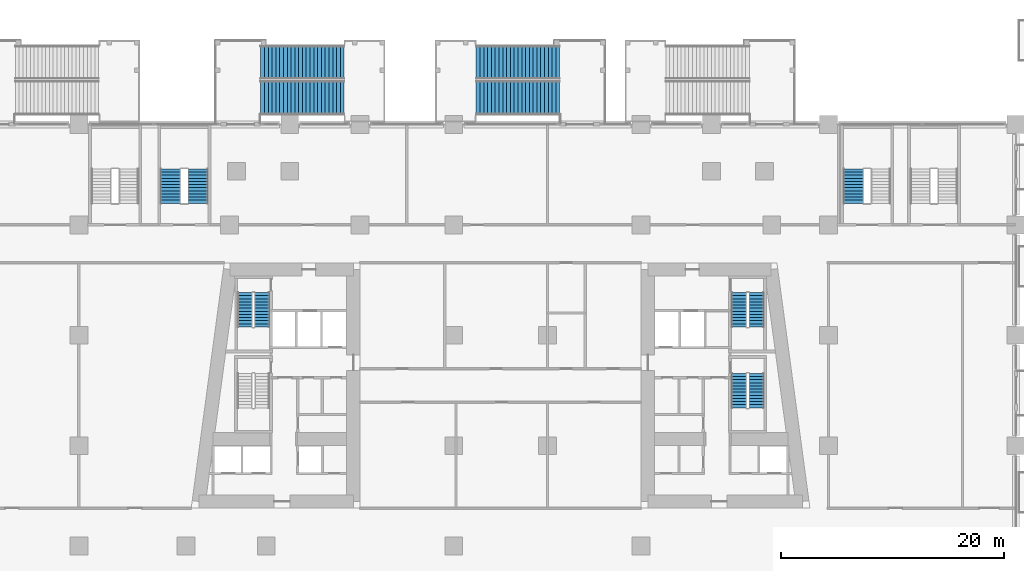
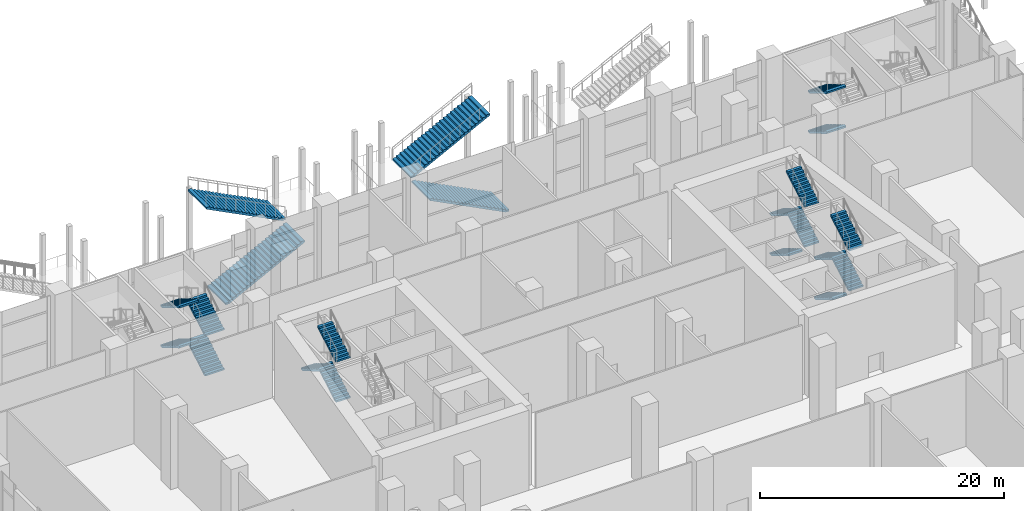
# One storey, part 35 of 52: 21 stair flights, 7 elements without a shape of their own.
"""IFC4 building model written with IfcOpenShell, lengths in metres."""

from ifc_helpers import new_model, si_unit, direction, frame, origin, place, context, subcontext, project, spatial, polyline, outline, extrude, material, type_object, element, aggregate, save


model = new_model("IFC4")

# Units and contexts
model_context = context("Model", 3, precision=1e-05, world=origin(), true_north=direction((0.0, 1.0)))
body_context = subcontext(model_context, "Body", "Model", "MODEL_VIEW")
ifc_project = project(units=[si_unit("LENGTHUNIT", "METRE"), si_unit("AREAUNIT", "SQUARE_METRE"), si_unit("VOLUMEUNIT", "CUBIC_METRE"), si_unit("PLANEANGLEUNIT", "RADIAN"), si_unit("MASSUNIT", "GRAM", prefix="KILO")], contexts=[model_context])

# Site, building, storey
site_placement = place(None, origin())
site = spatial("IfcSite", under=ifc_project, at=site_placement, CompositionType="ELEMENT")
building_placement = place(site_placement, origin())
building = spatial("IfcBuilding", under=site, at=building_placement, Name="Candeia Pilgrim Tower and Theatre", CompositionType="ELEMENT")
storey_placement = place(building_placement, frame((0.0, 0.0, 9.0)))
storey = spatial("IfcBuildingStorey", under=building, at=storey_placement, Name="L01", CompositionType="ELEMENT", Elevation=9.0)

# Stair, stair flights
ifc_material = material(Name="Concrete C40/50", Category="concrete")
stair_type_1 = type_object("IfcStairType", Name="ST-EXT external escape stair", PredefinedType="HALF_TURN_STAIR", material=ifc_material)
stair_1_placement = place(storey_placement, origin())
stair_1 = element("IfcStair", 1, at=stair_1_placement, inside=storey, type_object=stair_type_1, Name="L01 External escape stair ES5", PredefinedType="HALF_TURN_STAIR")
stair_flight_type_1 = type_object("IfcStairFlightType", Name="SFL-EXT stair flight", PredefinedType="STRAIGHT", material=ifc_material)
stair_flight_1_placement = place(storey_placement, frame((91.89990234375, 147.199951171875, 0.0), z_axis=(0.0, 0.0, 1.0), x_axis=(1.0, 0.0, 0.0)))
stair_flight_1 = element("IfcStairFlight", 2, at=stair_flight_1_placement, type_object=stair_flight_type_1, Name="ES5 flight 1", NumberOfRisers=23, NumberOfTreads=22, PredefinedType="STRAIGHT", RiserHeight=0.173913043, TreadLength=0.34, context=body_context, shape_type="SweptSolid", body=[
    extrude(outline(polyline([(0.0, 0.0), (0.0, 0.173828125), (0.340087890625, 0.173828125), (0.340087890625, 0.347900390625), (0.679931640625, 0.347900390625), (0.679931640625, 0.521728515625), (1.02001953125, 0.521728515625), (1.02001953125, 0.695556640625), (1.360107421875, 0.695556640625), (1.360107421875, 0.86962890625), (1.699951171875, 0.86962890625), (1.699951171875, 1.04345703125), (2.0400390625, 1.04345703125), (2.0400390625, 1.21728515625), (2.3798828125, 1.21728515625), (2.3798828125, 1.391357421875), (2.719970703125, 1.391357421875), (2.719970703125, 1.565185546875), (3.06005859375, 1.565185546875), (3.06005859375, 1.739013671875), (3.39990234375, 1.739013671875), (3.39990234375, 1.9130859375), (3.739990234375, 1.9130859375), (3.739990234375, 2.0869140625), (4.080078125, 2.0869140625), (4.080078125, 2.260986328125), (4.419921875, 2.260986328125), (4.419921875, 2.434814453125), (4.760009765625, 2.434814453125), (4.760009765625, 2.608642578125), (5.10009765625, 2.608642578125), (5.10009765625, 2.78271484375), (5.43994140625, 2.78271484375), (5.43994140625, 2.95654296875), (5.780029296875, 2.95654296875), (5.780029296875, 3.13037109375), (6.1201171875, 3.13037109375), (6.1201171875, 3.304443359375), (6.4599609375, 3.304443359375), (6.4599609375, 3.478271484375), (6.800048828125, 3.478271484375), (6.800048828125, 3.652099609375), (7.139892578125, 3.652099609375), (7.139892578125, 3.826171875), (7.47998046875, 3.826171875), (7.47998046875, 4.0), (7.47998046875, 3.65771484375), (0.3291015625, 0.0), (0.0, 0.0)])), frame((0.0, 1.5, 0.0), z_axis=(0.0, -1.0, 0.0), x_axis=(1.0, 0.0, 0.0)), (0.0, 0.0, 1.0), 3.0),
])
stair_flight_2_placement = place(storey_placement, frame((99.3798828125, 150.35009765625, 4.0), z_axis=(0.0, 0.0, 1.0), x_axis=(-1.0, 0.0, 0.0)))
stair_flight_2 = element("IfcStairFlight", 3, at=stair_flight_2_placement, type_object=stair_flight_type_1, Name="ES5 flight 2", NumberOfRisers=23, NumberOfTreads=22, PredefinedType="STRAIGHT", RiserHeight=0.173913043, TreadLength=0.34, context=body_context, shape_type="SweptSolid", body=[
    extrude(outline(polyline([(0.0, 0.0), (0.0, 0.173828125), (0.340087890625, 0.173828125), (0.340087890625, 0.347900390625), (0.679931640625, 0.347900390625), (0.679931640625, 0.521728515625), (1.02001953125, 0.521728515625), (1.02001953125, 0.695556640625), (1.360107421875, 0.695556640625), (1.360107421875, 0.86962890625), (1.699951171875, 0.86962890625), (1.699951171875, 1.04345703125), (2.0400390625, 1.04345703125), (2.0400390625, 1.21728515625), (2.3798828125, 1.21728515625), (2.3798828125, 1.391357421875), (2.719970703125, 1.391357421875), (2.719970703125, 1.565185546875), (3.06005859375, 1.565185546875), (3.06005859375, 1.739013671875), (3.39990234375, 1.739013671875), (3.39990234375, 1.9130859375), (3.739990234375, 1.9130859375), (3.739990234375, 2.0869140625), (4.080078125, 2.0869140625), (4.080078125, 2.260986328125), (4.419921875, 2.260986328125), (4.419921875, 2.434814453125), (4.760009765625, 2.434814453125), (4.760009765625, 2.608642578125), (5.10009765625, 2.608642578125), (5.10009765625, 2.78271484375), (5.43994140625, 2.78271484375), (5.43994140625, 2.95654296875), (5.780029296875, 2.95654296875), (5.780029296875, 3.13037109375), (6.1201171875, 3.13037109375), (6.1201171875, 3.304443359375), (6.4599609375, 3.304443359375), (6.4599609375, 3.478271484375), (6.800048828125, 3.478271484375), (6.800048828125, 3.652099609375), (7.139892578125, 3.652099609375), (7.139892578125, 3.826171875), (7.47998046875, 3.826171875), (7.47998046875, 4.0), (7.47998046875, 3.65771484375), (0.3291015625, 0.0), (0.0, 0.0)])), frame((0.0, 1.5, 0.0), z_axis=(0.0, -1.0, 0.0), x_axis=(1.0, 0.0, 0.0)), (0.0, 0.0, 1.0), 3.0),
])
aggregate(stair_1, [stair_flight_1, stair_flight_2])

stair_2_placement = place(storey_placement, origin())
stair_2 = element("IfcStair", 4, at=stair_2_placement, inside=storey, type_object=stair_type_1, Name="L01 External escape stair ES6", PredefinedType="HALF_TURN_STAIR")
stair_flight_3_placement = place(storey_placement, frame((118.699951171875, 147.199951171875, 0.0), z_axis=(0.0, 0.0, 1.0), x_axis=(-1.0, 0.0, 0.0)))
stair_flight_3 = element("IfcStairFlight", 5, at=stair_flight_3_placement, type_object=stair_flight_type_1, Name="ES6 flight 1", NumberOfRisers=23, NumberOfTreads=22, PredefinedType="STRAIGHT", RiserHeight=0.173913043, TreadLength=0.34, context=body_context, shape_type="SweptSolid", body=[
    extrude(outline(polyline([(0.0, 0.0), (0.0, 0.173828125), (0.340087890625, 0.173828125), (0.340087890625, 0.347900390625), (0.679931640625, 0.347900390625), (0.679931640625, 0.521728515625), (1.02001953125, 0.521728515625), (1.02001953125, 0.695556640625), (1.360107421875, 0.695556640625), (1.360107421875, 0.86962890625), (1.699951171875, 0.86962890625), (1.699951171875, 1.04345703125), (2.0400390625, 1.04345703125), (2.0400390625, 1.21728515625), (2.3798828125, 1.21728515625), (2.3798828125, 1.391357421875), (2.719970703125, 1.391357421875), (2.719970703125, 1.565185546875), (3.06005859375, 1.565185546875), (3.06005859375, 1.739013671875), (3.39990234375, 1.739013671875), (3.39990234375, 1.9130859375), (3.739990234375, 1.9130859375), (3.739990234375, 2.0869140625), (4.080078125, 2.0869140625), (4.080078125, 2.260986328125), (4.419921875, 2.260986328125), (4.419921875, 2.434814453125), (4.760009765625, 2.434814453125), (4.760009765625, 2.608642578125), (5.10009765625, 2.608642578125), (5.10009765625, 2.78271484375), (5.43994140625, 2.78271484375), (5.43994140625, 2.95654296875), (5.780029296875, 2.95654296875), (5.780029296875, 3.13037109375), (6.1201171875, 3.13037109375), (6.1201171875, 3.304443359375), (6.4599609375, 3.304443359375), (6.4599609375, 3.478271484375), (6.800048828125, 3.478271484375), (6.800048828125, 3.652099609375), (7.139892578125, 3.652099609375), (7.139892578125, 3.826171875), (7.47998046875, 3.826171875), (7.47998046875, 4.0), (7.47998046875, 3.65771484375), (0.3291015625, 0.0), (0.0, 0.0)])), frame((0.0, 1.5, 0.0), z_axis=(0.0, -1.0, 0.0), x_axis=(1.0, 0.0, 0.0)), (0.0, 0.0, 1.0), 3.0),
])
stair_flight_4_placement = place(storey_placement, frame((111.219970703125, 150.35009765625, 4.0), z_axis=(0.0, 0.0, 1.0), x_axis=(1.0, 0.0, 0.0)))
stair_flight_4 = element("IfcStairFlight", 6, at=stair_flight_4_placement, type_object=stair_flight_type_1, Name="ES6 flight 2", NumberOfRisers=23, NumberOfTreads=22, PredefinedType="STRAIGHT", RiserHeight=0.173913043, TreadLength=0.34, context=body_context, shape_type="SweptSolid", body=[
    extrude(outline(polyline([(0.0, 0.0), (0.0, 0.173828125), (0.340087890625, 0.173828125), (0.340087890625, 0.347900390625), (0.679931640625, 0.347900390625), (0.679931640625, 0.521728515625), (1.02001953125, 0.521728515625), (1.02001953125, 0.695556640625), (1.360107421875, 0.695556640625), (1.360107421875, 0.86962890625), (1.699951171875, 0.86962890625), (1.699951171875, 1.04345703125), (2.0400390625, 1.04345703125), (2.0400390625, 1.21728515625), (2.3798828125, 1.21728515625), (2.3798828125, 1.391357421875), (2.719970703125, 1.391357421875), (2.719970703125, 1.565185546875), (3.06005859375, 1.565185546875), (3.06005859375, 1.739013671875), (3.39990234375, 1.739013671875), (3.39990234375, 1.9130859375), (3.739990234375, 1.9130859375), (3.739990234375, 2.0869140625), (4.080078125, 2.0869140625), (4.080078125, 2.260986328125), (4.419921875, 2.260986328125), (4.419921875, 2.434814453125), (4.760009765625, 2.434814453125), (4.760009765625, 2.608642578125), (5.10009765625, 2.608642578125), (5.10009765625, 2.78271484375), (5.43994140625, 2.78271484375), (5.43994140625, 2.95654296875), (5.780029296875, 2.95654296875), (5.780029296875, 3.13037109375), (6.1201171875, 3.13037109375), (6.1201171875, 3.304443359375), (6.4599609375, 3.304443359375), (6.4599609375, 3.478271484375), (6.800048828125, 3.478271484375), (6.800048828125, 3.652099609375), (7.139892578125, 3.652099609375), (7.139892578125, 3.826171875), (7.47998046875, 3.826171875), (7.47998046875, 4.0), (7.47998046875, 3.65771484375), (0.3291015625, 0.0), (0.0, 0.0)])), frame((0.0, 1.5, 0.0), z_axis=(0.0, -1.0, 0.0), x_axis=(1.0, 0.0, 0.0)), (0.0, 0.0, 1.0), 3.0),
])
aggregate(stair_2, [stair_flight_3, stair_flight_4])

stair_type_2 = type_object("IfcStairType", Name="ST-POD dog-leg escape stair", PredefinedType="HALF_TURN_STAIR", material=ifc_material)
stair_3_placement = place(storey_placement, origin())
stair_3 = element("IfcStair", 7, at=stair_3_placement, inside=storey, type_object=stair_type_2, Name="L01 Escape stair PS2", PredefinedType="HALF_TURN_STAIR")
stair_flight_type_2 = type_object("IfcStairFlightType", Name="SFL-POD stair flight", PredefinedType="STRAIGHT", material=ifc_material)
stair_flight_5_placement = place(storey_placement, frame((86.27490234375, 137.72509765625, 0.0), z_axis=(0.0, 0.0, 1.0), x_axis=(0.0, 1.0, 0.0)))
stair_flight_5 = element("IfcStairFlight", 8, at=stair_flight_5_placement, type_object=stair_flight_type_2, Name="PS2 flight 1", NumberOfRisers=12, NumberOfTreads=11, PredefinedType="STRAIGHT", RiserHeight=0.166666667, TreadLength=0.28, context=body_context, shape_type="SweptSolid", body=[
    extrude(outline(polyline([(0.0, 0.0), (0.0, 0.166748046875), (0.280029296875, 0.166748046875), (0.280029296875, 0.333251953125), (0.56005859375, 0.333251953125), (0.56005859375, 0.5), (0.840087890625, 0.5), (0.840087890625, 0.666748046875), (1.1201171875, 0.666748046875), (1.1201171875, 0.833251953125), (1.39990234375, 0.833251953125), (1.39990234375, 1.0), (1.679931640625, 1.0), (1.679931640625, 1.166748046875), (1.9599609375, 1.166748046875), (1.9599609375, 1.333251953125), (2.239990234375, 1.333251953125), (2.239990234375, 1.5), (2.52001953125, 1.5), (2.52001953125, 1.666748046875), (2.800048828125, 1.666748046875), (2.800048828125, 1.833251953125), (3.080078125, 1.833251953125), (3.080078125, 2.0), (3.080078125, 1.658935546875), (0.29296875, 0.0), (0.0, 0.0)])), frame((0.0, 0.89990234375, 0.0), z_axis=(0.0, -1.0, 0.0), x_axis=(1.0, 0.0, 0.0)), (0.0, 0.0, 1.0), 1.800048828125),
])
stair_flight_6_placement = place(storey_placement, frame((83.824951171875, 140.804931640625, 2.0), z_axis=(0.0, 0.0, 1.0), x_axis=(0.0, -1.0, 0.0)))
stair_flight_6 = element("IfcStairFlight", 9, at=stair_flight_6_placement, type_object=stair_flight_type_2, Name="PS2 flight 2", NumberOfRisers=12, NumberOfTreads=11, PredefinedType="STRAIGHT", RiserHeight=0.166666667, TreadLength=0.28, context=body_context, shape_type="SweptSolid", body=[
    extrude(outline(polyline([(0.0, 0.0), (0.0, 0.166748046875), (0.280029296875, 0.166748046875), (0.280029296875, 0.333251953125), (0.56005859375, 0.333251953125), (0.56005859375, 0.5), (0.840087890625, 0.5), (0.840087890625, 0.666748046875), (1.1201171875, 0.666748046875), (1.1201171875, 0.833251953125), (1.39990234375, 0.833251953125), (1.39990234375, 1.0), (1.679931640625, 1.0), (1.679931640625, 1.166748046875), (1.9599609375, 1.166748046875), (1.9599609375, 1.333251953125), (2.239990234375, 1.333251953125), (2.239990234375, 1.5), (2.52001953125, 1.5), (2.52001953125, 1.666748046875), (2.800048828125, 1.666748046875), (2.800048828125, 1.833251953125), (3.080078125, 1.833251953125), (3.080078125, 2.0), (3.080078125, 1.658935546875), (0.29296875, 0.0), (0.0, 0.0)])), frame((0.0, 0.89990234375, 0.0), z_axis=(0.0, -1.0, 0.0), x_axis=(1.0, 0.0, 0.0)), (0.0, 0.0, 1.0), 1.800048828125),
])
stair_flight_7_placement = place(storey_placement, frame((86.27490234375, 137.72509765625, 4.0), z_axis=(0.0, 0.0, 1.0), x_axis=(0.0, 1.0, 0.0)))
stair_flight_7 = element("IfcStairFlight", 10, at=stair_flight_7_placement, type_object=stair_flight_type_2, Name="PS2 flight 3", NumberOfRisers=12, NumberOfTreads=11, PredefinedType="STRAIGHT", RiserHeight=0.166666667, TreadLength=0.28, context=body_context, shape_type="SweptSolid", body=[
    extrude(outline(polyline([(0.0, 0.0), (0.0, 0.166748046875), (0.280029296875, 0.166748046875), (0.280029296875, 0.333251953125), (0.56005859375, 0.333251953125), (0.56005859375, 0.5), (0.840087890625, 0.5), (0.840087890625, 0.666748046875), (1.1201171875, 0.666748046875), (1.1201171875, 0.833251953125), (1.39990234375, 0.833251953125), (1.39990234375, 1.0), (1.679931640625, 1.0), (1.679931640625, 1.166748046875), (1.9599609375, 1.166748046875), (1.9599609375, 1.333251953125), (2.239990234375, 1.333251953125), (2.239990234375, 1.5), (2.52001953125, 1.5), (2.52001953125, 1.666748046875), (2.800048828125, 1.666748046875), (2.800048828125, 1.833251953125), (3.080078125, 1.833251953125), (3.080078125, 2.0), (3.080078125, 1.658935546875), (0.29296875, 0.0), (0.0, 0.0)])), frame((0.0, 0.89990234375, 0.0), z_axis=(0.0, -1.0, 0.0), x_axis=(1.0, 0.0, 0.0)), (0.0, 0.0, 1.0), 1.800048828125),
])
stair_flight_8_placement = place(storey_placement, frame((83.824951171875, 140.804931640625, 6.0), z_axis=(0.0, 0.0, 1.0), x_axis=(0.0, -1.0, 0.0)))
stair_flight_8 = element("IfcStairFlight", 11, at=stair_flight_8_placement, type_object=stair_flight_type_2, Name="PS2 flight 4", NumberOfRisers=12, NumberOfTreads=11, PredefinedType="STRAIGHT", RiserHeight=0.166666667, TreadLength=0.28, context=body_context, shape_type="SweptSolid", body=[
    extrude(outline(polyline([(0.0, 0.0), (0.0, 0.166748046875), (0.280029296875, 0.166748046875), (0.280029296875, 0.333251953125), (0.56005859375, 0.333251953125), (0.56005859375, 0.5), (0.840087890625, 0.5), (0.840087890625, 0.666748046875), (1.1201171875, 0.666748046875), (1.1201171875, 0.833251953125), (1.39990234375, 0.833251953125), (1.39990234375, 1.0), (1.679931640625, 1.0), (1.679931640625, 1.166748046875), (1.9599609375, 1.166748046875), (1.9599609375, 1.333251953125), (2.239990234375, 1.333251953125), (2.239990234375, 1.5), (2.52001953125, 1.5), (2.52001953125, 1.666748046875), (2.800048828125, 1.666748046875), (2.800048828125, 1.833251953125), (3.080078125, 1.833251953125), (3.080078125, 2.0), (3.080078125, 1.658935546875), (0.29296875, 0.0), (0.0, 0.0)])), frame((0.0, 0.89990234375, 0.0), z_axis=(0.0, -1.0, 0.0), x_axis=(1.0, 0.0, 0.0)), (0.0, 0.0, 1.0), 1.800048828125),
])
aggregate(stair_3, [stair_flight_5, stair_flight_6, stair_flight_7, stair_flight_8])

stair_4_placement = place(storey_placement, origin())
stair_4 = element("IfcStair", 12, at=stair_4_placement, inside=storey, type_object=stair_type_2, Name="L01 Escape stair PS3", PredefinedType="HALF_TURN_STAIR")
stair_flight_9_placement = place(storey_placement, frame((145.02490234375, 140.804931640625, 2.0), z_axis=(0.0, 0.0, 1.0), x_axis=(0.0, -1.0, 0.0)))
stair_flight_9 = element("IfcStairFlight", 13, at=stair_flight_9_placement, type_object=stair_flight_type_2, Name="PS3 flight 2", NumberOfRisers=12, NumberOfTreads=11, PredefinedType="STRAIGHT", RiserHeight=0.166666667, TreadLength=0.28, context=body_context, shape_type="SweptSolid", body=[
    extrude(outline(polyline([(0.0, 0.0), (0.0, 0.166748046875), (0.280029296875, 0.166748046875), (0.280029296875, 0.333251953125), (0.56005859375, 0.333251953125), (0.56005859375, 0.5), (0.840087890625, 0.5), (0.840087890625, 0.666748046875), (1.1201171875, 0.666748046875), (1.1201171875, 0.833251953125), (1.39990234375, 0.833251953125), (1.39990234375, 1.0), (1.679931640625, 1.0), (1.679931640625, 1.166748046875), (1.9599609375, 1.166748046875), (1.9599609375, 1.333251953125), (2.239990234375, 1.333251953125), (2.239990234375, 1.5), (2.52001953125, 1.5), (2.52001953125, 1.666748046875), (2.800048828125, 1.666748046875), (2.800048828125, 1.833251953125), (3.080078125, 1.833251953125), (3.080078125, 2.0), (3.080078125, 1.658935546875), (0.29296875, 0.0), (0.0, 0.0)])), frame((0.0, 0.89990234375, 0.0), z_axis=(0.0, -1.0, 0.0), x_axis=(1.0, 0.0, 0.0)), (0.0, 0.0, 1.0), 1.800048828125),
])
stair_flight_10_placement = place(storey_placement, frame((145.02490234375, 140.804931640625, 6.0), z_axis=(0.0, 0.0, 1.0), x_axis=(0.0, -1.0, 0.0)))
stair_flight_10 = element("IfcStairFlight", 14, at=stair_flight_10_placement, type_object=stair_flight_type_2, Name="PS3 flight 4", NumberOfRisers=12, NumberOfTreads=11, PredefinedType="STRAIGHT", RiserHeight=0.166666667, TreadLength=0.28, context=body_context, shape_type="SweptSolid", body=[
    extrude(outline(polyline([(0.0, 0.0), (0.0, 0.166748046875), (0.280029296875, 0.166748046875), (0.280029296875, 0.333251953125), (0.56005859375, 0.333251953125), (0.56005859375, 0.5), (0.840087890625, 0.5), (0.840087890625, 0.666748046875), (1.1201171875, 0.666748046875), (1.1201171875, 0.833251953125), (1.39990234375, 0.833251953125), (1.39990234375, 1.0), (1.679931640625, 1.0), (1.679931640625, 1.166748046875), (1.9599609375, 1.166748046875), (1.9599609375, 1.333251953125), (2.239990234375, 1.333251953125), (2.239990234375, 1.5), (2.52001953125, 1.5), (2.52001953125, 1.666748046875), (2.800048828125, 1.666748046875), (2.800048828125, 1.833251953125), (3.080078125, 1.833251953125), (3.080078125, 2.0), (3.080078125, 1.658935546875), (0.29296875, 0.0), (0.0, 0.0)])), frame((0.0, 0.89990234375, 0.0), z_axis=(0.0, -1.0, 0.0), x_axis=(1.0, 0.0, 0.0)), (0.0, 0.0, 1.0), 1.800048828125),
])
aggregate(stair_4, [stair_flight_9, stair_flight_10])

stair_type_3 = type_object("IfcStairType", Name="ST-TWR dog-leg escape stair", PredefinedType="HALF_TURN_STAIR", material=ifc_material)
stair_5_placement = place(storey_placement, origin())
stair_5 = element("IfcStair", 15, at=stair_5_placement, inside=storey, type_object=stair_type_3, Name="L01 Escape stair ST2", PredefinedType="HALF_TURN_STAIR")
stair_flight_type_3 = type_object("IfcStairFlightType", Name="SFL-RC stair flight", PredefinedType="STRAIGHT", material=ifc_material)
stair_flight_11_placement = place(storey_placement, frame((92.027099609375, 126.64501953125, 2.0), z_axis=(0.0, 0.0, 1.0), x_axis=(0.0, 1.0, 0.0)))
stair_flight_11 = element("IfcStairFlight", 16, at=stair_flight_11_placement, type_object=stair_flight_type_3, Name="ST2 flight 2", NumberOfRisers=12, NumberOfTreads=11, PredefinedType="STRAIGHT", RiserHeight=0.166666667, TreadLength=0.28, context=body_context, shape_type="SweptSolid", body=[
    extrude(outline(polyline([(0.0, 0.0), (0.0, 0.166748046875), (0.280029296875, 0.166748046875), (0.280029296875, 0.333251953125), (0.56005859375, 0.333251953125), (0.56005859375, 0.5), (0.840087890625, 0.5), (0.840087890625, 0.666748046875), (1.1201171875, 0.666748046875), (1.1201171875, 0.833251953125), (1.39990234375, 0.833251953125), (1.39990234375, 1.0), (1.679931640625, 1.0), (1.679931640625, 1.166748046875), (1.9599609375, 1.166748046875), (1.9599609375, 1.333251953125), (2.239990234375, 1.333251953125), (2.239990234375, 1.5), (2.52001953125, 1.5), (2.52001953125, 1.666748046875), (2.800048828125, 1.666748046875), (2.800048828125, 1.833251953125), (3.080078125, 1.833251953125), (3.080078125, 2.0), (3.080078125, 1.658935546875), (0.29296875, 0.0), (0.0, 0.0)])), frame((0.0, 0.675048828125, 0.0), z_axis=(0.0, -1.0, 0.0), x_axis=(1.0, 0.0, 0.0)), (0.0, 0.0, 1.0), 1.35009765625),
])
stair_flight_12_placement = place(storey_placement, frame((90.47705078125, 129.72509765625, 4.0), z_axis=(0.0, 0.0, 1.0), x_axis=(0.0, -1.0, 0.0)))
stair_flight_12 = element("IfcStairFlight", 17, at=stair_flight_12_placement, type_object=stair_flight_type_3, Name="ST2 flight 3", NumberOfRisers=12, NumberOfTreads=11, PredefinedType="STRAIGHT", RiserHeight=0.166666667, TreadLength=0.28, context=body_context, shape_type="SweptSolid", body=[
    extrude(outline(polyline([(0.0, 0.0), (0.0, 0.166748046875), (0.280029296875, 0.166748046875), (0.280029296875, 0.333251953125), (0.56005859375, 0.333251953125), (0.56005859375, 0.5), (0.840087890625, 0.5), (0.840087890625, 0.666748046875), (1.1201171875, 0.666748046875), (1.1201171875, 0.833251953125), (1.39990234375, 0.833251953125), (1.39990234375, 1.0), (1.679931640625, 1.0), (1.679931640625, 1.166748046875), (1.9599609375, 1.166748046875), (1.9599609375, 1.333251953125), (2.239990234375, 1.333251953125), (2.239990234375, 1.5), (2.52001953125, 1.5), (2.52001953125, 1.666748046875), (2.800048828125, 1.666748046875), (2.800048828125, 1.833251953125), (3.080078125, 1.833251953125), (3.080078125, 2.0), (3.080078125, 1.658935546875), (0.29296875, 0.0), (0.0, 0.0)])), frame((0.0, 0.675048828125, 0.0), z_axis=(0.0, -1.0, 0.0), x_axis=(1.0, 0.0, 0.0)), (0.0, 0.0, 1.0), 1.35009765625),
])
stair_flight_13_placement = place(storey_placement, frame((92.027099609375, 126.64501953125, 6.0), z_axis=(0.0, 0.0, 1.0), x_axis=(0.0, 1.0, 0.0)))
stair_flight_13 = element("IfcStairFlight", 18, at=stair_flight_13_placement, type_object=stair_flight_type_3, Name="ST2 flight 4", NumberOfRisers=12, NumberOfTreads=11, PredefinedType="STRAIGHT", RiserHeight=0.166666667, TreadLength=0.28, context=body_context, shape_type="SweptSolid", body=[
    extrude(outline(polyline([(0.0, 0.0), (0.0, 0.166748046875), (0.280029296875, 0.166748046875), (0.280029296875, 0.333251953125), (0.56005859375, 0.333251953125), (0.56005859375, 0.5), (0.840087890625, 0.5), (0.840087890625, 0.666748046875), (1.1201171875, 0.666748046875), (1.1201171875, 0.833251953125), (1.39990234375, 0.833251953125), (1.39990234375, 1.0), (1.679931640625, 1.0), (1.679931640625, 1.166748046875), (1.9599609375, 1.166748046875), (1.9599609375, 1.333251953125), (2.239990234375, 1.333251953125), (2.239990234375, 1.5), (2.52001953125, 1.5), (2.52001953125, 1.666748046875), (2.800048828125, 1.666748046875), (2.800048828125, 1.833251953125), (3.080078125, 1.833251953125), (3.080078125, 2.0), (3.080078125, 1.658935546875), (0.29296875, 0.0), (0.0, 0.0)])), frame((0.0, 0.675048828125, 0.0), z_axis=(0.0, -1.0, 0.0), x_axis=(1.0, 0.0, 0.0)), (0.0, 0.0, 1.0), 1.35009765625),
])
aggregate(stair_5, [stair_flight_11, stair_flight_12, stair_flight_13])

stair_6_placement = place(storey_placement, origin())
stair_6 = element("IfcStair", 19, at=stair_6_placement, inside=storey, type_object=stair_type_3, Name="L01 Escape stair ST3", PredefinedType="HALF_TURN_STAIR")
stair_flight_14_placement = place(storey_placement, frame((134.77294921875, 122.47509765625, 0.0), z_axis=(0.0, 0.0, 1.0), x_axis=(0.0, -1.0, 0.0)))
stair_flight_14 = element("IfcStairFlight", 20, at=stair_flight_14_placement, type_object=stair_flight_type_3, Name="ST3 flight 1", NumberOfRisers=12, NumberOfTreads=11, PredefinedType="STRAIGHT", RiserHeight=0.166666667, TreadLength=0.28, context=body_context, shape_type="SweptSolid", body=[
    extrude(outline(polyline([(0.0, 0.0), (0.0, 0.166748046875), (0.280029296875, 0.166748046875), (0.280029296875, 0.333251953125), (0.56005859375, 0.333251953125), (0.56005859375, 0.5), (0.840087890625, 0.5), (0.840087890625, 0.666748046875), (1.1201171875, 0.666748046875), (1.1201171875, 0.833251953125), (1.39990234375, 0.833251953125), (1.39990234375, 1.0), (1.679931640625, 1.0), (1.679931640625, 1.166748046875), (1.9599609375, 1.166748046875), (1.9599609375, 1.333251953125), (2.239990234375, 1.333251953125), (2.239990234375, 1.5), (2.52001953125, 1.5), (2.52001953125, 1.666748046875), (2.800048828125, 1.666748046875), (2.800048828125, 1.833251953125), (3.080078125, 1.833251953125), (3.080078125, 2.0), (3.080078125, 1.658935546875), (0.29296875, 0.0), (0.0, 0.0)])), frame((0.0, 0.675048828125, 0.0), z_axis=(0.0, -1.0, 0.0), x_axis=(1.0, 0.0, 0.0)), (0.0, 0.0, 1.0), 1.35009765625),
])
stair_flight_15_placement = place(storey_placement, frame((136.322998046875, 119.39501953125, 2.0), z_axis=(0.0, 0.0, 1.0), x_axis=(0.0, 1.0, 0.0)))
stair_flight_15 = element("IfcStairFlight", 21, at=stair_flight_15_placement, type_object=stair_flight_type_3, Name="ST3 flight 2", NumberOfRisers=12, NumberOfTreads=11, PredefinedType="STRAIGHT", RiserHeight=0.166666667, TreadLength=0.28, context=body_context, shape_type="SweptSolid", body=[
    extrude(outline(polyline([(0.0, 0.0), (0.0, 0.166748046875), (0.280029296875, 0.166748046875), (0.280029296875, 0.333251953125), (0.56005859375, 0.333251953125), (0.56005859375, 0.5), (0.840087890625, 0.5), (0.840087890625, 0.666748046875), (1.1201171875, 0.666748046875), (1.1201171875, 0.833251953125), (1.39990234375, 0.833251953125), (1.39990234375, 1.0), (1.679931640625, 1.0), (1.679931640625, 1.166748046875), (1.9599609375, 1.166748046875), (1.9599609375, 1.333251953125), (2.239990234375, 1.333251953125), (2.239990234375, 1.5), (2.52001953125, 1.5), (2.52001953125, 1.666748046875), (2.800048828125, 1.666748046875), (2.800048828125, 1.833251953125), (3.080078125, 1.833251953125), (3.080078125, 2.0), (3.080078125, 1.658935546875), (0.29296875, 0.0), (0.0, 0.0)])), frame((0.0, 0.675048828125, 0.0), z_axis=(0.0, -1.0, 0.0), x_axis=(1.0, 0.0, 0.0)), (0.0, 0.0, 1.0), 1.35009765625),
])
stair_flight_16_placement = place(storey_placement, frame((134.77294921875, 122.47509765625, 4.0), z_axis=(0.0, 0.0, 1.0), x_axis=(0.0, -1.0, 0.0)))
stair_flight_16 = element("IfcStairFlight", 22, at=stair_flight_16_placement, type_object=stair_flight_type_3, Name="ST3 flight 3", NumberOfRisers=12, NumberOfTreads=11, PredefinedType="STRAIGHT", RiserHeight=0.166666667, TreadLength=0.28, context=body_context, shape_type="SweptSolid", body=[
    extrude(outline(polyline([(0.0, 0.0), (0.0, 0.166748046875), (0.280029296875, 0.166748046875), (0.280029296875, 0.333251953125), (0.56005859375, 0.333251953125), (0.56005859375, 0.5), (0.840087890625, 0.5), (0.840087890625, 0.666748046875), (1.1201171875, 0.666748046875), (1.1201171875, 0.833251953125), (1.39990234375, 0.833251953125), (1.39990234375, 1.0), (1.679931640625, 1.0), (1.679931640625, 1.166748046875), (1.9599609375, 1.166748046875), (1.9599609375, 1.333251953125), (2.239990234375, 1.333251953125), (2.239990234375, 1.5), (2.52001953125, 1.5), (2.52001953125, 1.666748046875), (2.800048828125, 1.666748046875), (2.800048828125, 1.833251953125), (3.080078125, 1.833251953125), (3.080078125, 2.0), (3.080078125, 1.658935546875), (0.29296875, 0.0), (0.0, 0.0)])), frame((0.0, 0.675048828125, 0.0), z_axis=(0.0, -1.0, 0.0), x_axis=(1.0, 0.0, 0.0)), (0.0, 0.0, 1.0), 1.35009765625),
])
stair_flight_17_placement = place(storey_placement, frame((136.322998046875, 119.39501953125, 6.0), z_axis=(0.0, 0.0, 1.0), x_axis=(0.0, 1.0, 0.0)))
stair_flight_17 = element("IfcStairFlight", 23, at=stair_flight_17_placement, type_object=stair_flight_type_3, Name="ST3 flight 4", NumberOfRisers=12, NumberOfTreads=11, PredefinedType="STRAIGHT", RiserHeight=0.166666667, TreadLength=0.28, context=body_context, shape_type="SweptSolid", body=[
    extrude(outline(polyline([(0.0, 0.0), (0.0, 0.166748046875), (0.280029296875, 0.166748046875), (0.280029296875, 0.333251953125), (0.56005859375, 0.333251953125), (0.56005859375, 0.5), (0.840087890625, 0.5), (0.840087890625, 0.666748046875), (1.1201171875, 0.666748046875), (1.1201171875, 0.833251953125), (1.39990234375, 0.833251953125), (1.39990234375, 1.0), (1.679931640625, 1.0), (1.679931640625, 1.166748046875), (1.9599609375, 1.166748046875), (1.9599609375, 1.333251953125), (2.239990234375, 1.333251953125), (2.239990234375, 1.5), (2.52001953125, 1.5), (2.52001953125, 1.666748046875), (2.800048828125, 1.666748046875), (2.800048828125, 1.833251953125), (3.080078125, 1.833251953125), (3.080078125, 2.0), (3.080078125, 1.658935546875), (0.29296875, 0.0), (0.0, 0.0)])), frame((0.0, 0.675048828125, 0.0), z_axis=(0.0, -1.0, 0.0), x_axis=(1.0, 0.0, 0.0)), (0.0, 0.0, 1.0), 1.35009765625),
])
aggregate(stair_6, [stair_flight_14, stair_flight_15, stair_flight_16, stair_flight_17])

stair_7_placement = place(storey_placement, origin())
stair_7 = element("IfcStair", 24, at=stair_7_placement, inside=storey, type_object=stair_type_3, Name="L01 Escape stair ST4", PredefinedType="HALF_TURN_STAIR")
stair_flight_18_placement = place(storey_placement, frame((134.77294921875, 129.72509765625, 0.0), z_axis=(0.0, 0.0, 1.0), x_axis=(0.0, -1.0, 0.0)))
stair_flight_18 = element("IfcStairFlight", 25, at=stair_flight_18_placement, type_object=stair_flight_type_3, Name="ST4 flight 1", NumberOfRisers=12, NumberOfTreads=11, PredefinedType="STRAIGHT", RiserHeight=0.166666667, TreadLength=0.28, context=body_context, shape_type="SweptSolid", body=[
    extrude(outline(polyline([(0.0, 0.0), (0.0, 0.166748046875), (0.280029296875, 0.166748046875), (0.280029296875, 0.333251953125), (0.56005859375, 0.333251953125), (0.56005859375, 0.5), (0.840087890625, 0.5), (0.840087890625, 0.666748046875), (1.1201171875, 0.666748046875), (1.1201171875, 0.833251953125), (1.39990234375, 0.833251953125), (1.39990234375, 1.0), (1.679931640625, 1.0), (1.679931640625, 1.166748046875), (1.9599609375, 1.166748046875), (1.9599609375, 1.333251953125), (2.239990234375, 1.333251953125), (2.239990234375, 1.5), (2.52001953125, 1.5), (2.52001953125, 1.666748046875), (2.800048828125, 1.666748046875), (2.800048828125, 1.833251953125), (3.080078125, 1.833251953125), (3.080078125, 2.0), (3.080078125, 1.658935546875), (0.29296875, 0.0), (0.0, 0.0)])), frame((0.0, 0.675048828125, 0.0), z_axis=(0.0, -1.0, 0.0), x_axis=(1.0, 0.0, 0.0)), (0.0, 0.0, 1.0), 1.35009765625),
])
stair_flight_19_placement = place(storey_placement, frame((136.322998046875, 126.64501953125, 2.0), z_axis=(0.0, 0.0, 1.0), x_axis=(0.0, 1.0, 0.0)))
stair_flight_19 = element("IfcStairFlight", 26, at=stair_flight_19_placement, type_object=stair_flight_type_3, Name="ST4 flight 2", NumberOfRisers=12, NumberOfTreads=11, PredefinedType="STRAIGHT", RiserHeight=0.166666667, TreadLength=0.28, context=body_context, shape_type="SweptSolid", body=[
    extrude(outline(polyline([(0.0, 0.0), (0.0, 0.166748046875), (0.280029296875, 0.166748046875), (0.280029296875, 0.333251953125), (0.56005859375, 0.333251953125), (0.56005859375, 0.5), (0.840087890625, 0.5), (0.840087890625, 0.666748046875), (1.1201171875, 0.666748046875), (1.1201171875, 0.833251953125), (1.39990234375, 0.833251953125), (1.39990234375, 1.0), (1.679931640625, 1.0), (1.679931640625, 1.166748046875), (1.9599609375, 1.166748046875), (1.9599609375, 1.333251953125), (2.239990234375, 1.333251953125), (2.239990234375, 1.5), (2.52001953125, 1.5), (2.52001953125, 1.666748046875), (2.800048828125, 1.666748046875), (2.800048828125, 1.833251953125), (3.080078125, 1.833251953125), (3.080078125, 2.0), (3.080078125, 1.658935546875), (0.29296875, 0.0), (0.0, 0.0)])), frame((0.0, 0.675048828125, 0.0), z_axis=(0.0, -1.0, 0.0), x_axis=(1.0, 0.0, 0.0)), (0.0, 0.0, 1.0), 1.35009765625),
])
stair_flight_20_placement = place(storey_placement, frame((134.77294921875, 129.72509765625, 4.0), z_axis=(0.0, 0.0, 1.0), x_axis=(0.0, -1.0, 0.0)))
stair_flight_20 = element("IfcStairFlight", 27, at=stair_flight_20_placement, type_object=stair_flight_type_3, Name="ST4 flight 3", NumberOfRisers=12, NumberOfTreads=11, PredefinedType="STRAIGHT", RiserHeight=0.166666667, TreadLength=0.28, context=body_context, shape_type="SweptSolid", body=[
    extrude(outline(polyline([(0.0, 0.0), (0.0, 0.166748046875), (0.280029296875, 0.166748046875), (0.280029296875, 0.333251953125), (0.56005859375, 0.333251953125), (0.56005859375, 0.5), (0.840087890625, 0.5), (0.840087890625, 0.666748046875), (1.1201171875, 0.666748046875), (1.1201171875, 0.833251953125), (1.39990234375, 0.833251953125), (1.39990234375, 1.0), (1.679931640625, 1.0), (1.679931640625, 1.166748046875), (1.9599609375, 1.166748046875), (1.9599609375, 1.333251953125), (2.239990234375, 1.333251953125), (2.239990234375, 1.5), (2.52001953125, 1.5), (2.52001953125, 1.666748046875), (2.800048828125, 1.666748046875), (2.800048828125, 1.833251953125), (3.080078125, 1.833251953125), (3.080078125, 2.0), (3.080078125, 1.658935546875), (0.29296875, 0.0), (0.0, 0.0)])), frame((0.0, 0.675048828125, 0.0), z_axis=(0.0, -1.0, 0.0), x_axis=(1.0, 0.0, 0.0)), (0.0, 0.0, 1.0), 1.35009765625),
])
stair_flight_21_placement = place(storey_placement, frame((136.322998046875, 126.64501953125, 6.0), z_axis=(0.0, 0.0, 1.0), x_axis=(0.0, 1.0, 0.0)))
stair_flight_21 = element("IfcStairFlight", 28, at=stair_flight_21_placement, type_object=stair_flight_type_3, Name="ST4 flight 4", NumberOfRisers=12, NumberOfTreads=11, PredefinedType="STRAIGHT", RiserHeight=0.166666667, TreadLength=0.28, context=body_context, shape_type="SweptSolid", body=[
    extrude(outline(polyline([(0.0, 0.0), (0.0, 0.166748046875), (0.280029296875, 0.166748046875), (0.280029296875, 0.333251953125), (0.56005859375, 0.333251953125), (0.56005859375, 0.5), (0.840087890625, 0.5), (0.840087890625, 0.666748046875), (1.1201171875, 0.666748046875), (1.1201171875, 0.833251953125), (1.39990234375, 0.833251953125), (1.39990234375, 1.0), (1.679931640625, 1.0), (1.679931640625, 1.166748046875), (1.9599609375, 1.166748046875), (1.9599609375, 1.333251953125), (2.239990234375, 1.333251953125), (2.239990234375, 1.5), (2.52001953125, 1.5), (2.52001953125, 1.666748046875), (2.800048828125, 1.666748046875), (2.800048828125, 1.833251953125), (3.080078125, 1.833251953125), (3.080078125, 2.0), (3.080078125, 1.658935546875), (0.29296875, 0.0), (0.0, 0.0)])), frame((0.0, 0.675048828125, 0.0), z_axis=(0.0, -1.0, 0.0), x_axis=(1.0, 0.0, 0.0)), (0.0, 0.0, 1.0), 1.35009765625),
])
aggregate(stair_7, [stair_flight_18, stair_flight_19, stair_flight_20, stair_flight_21])

save(model, "model.ifc")
